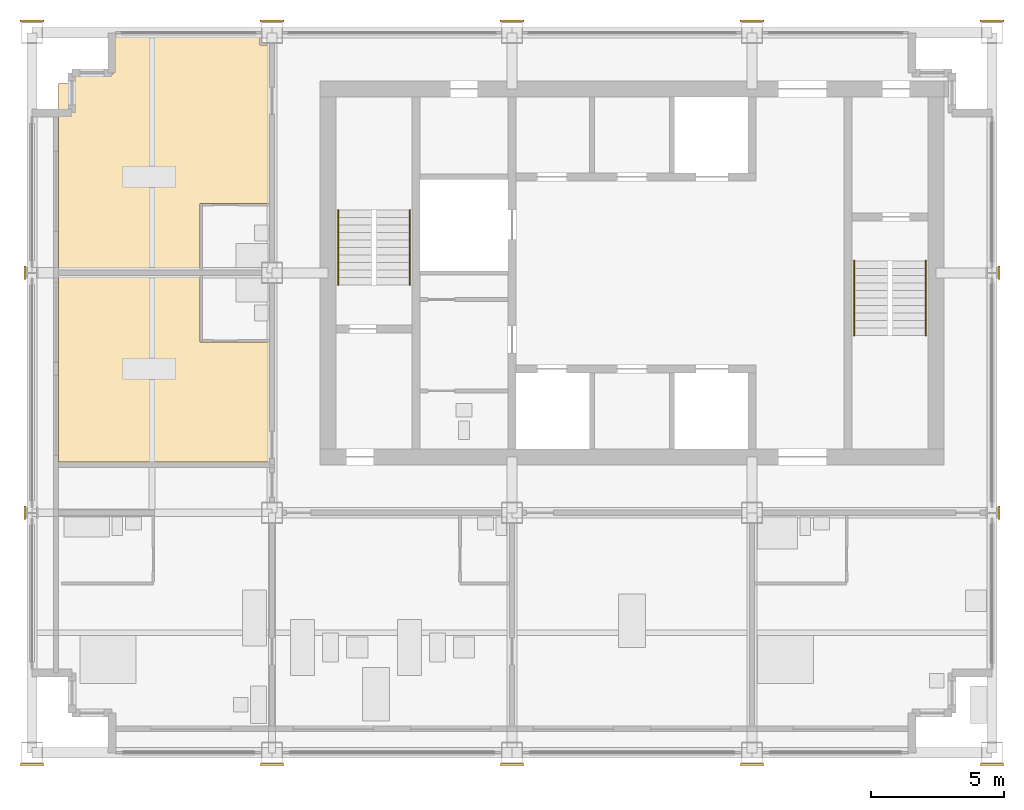
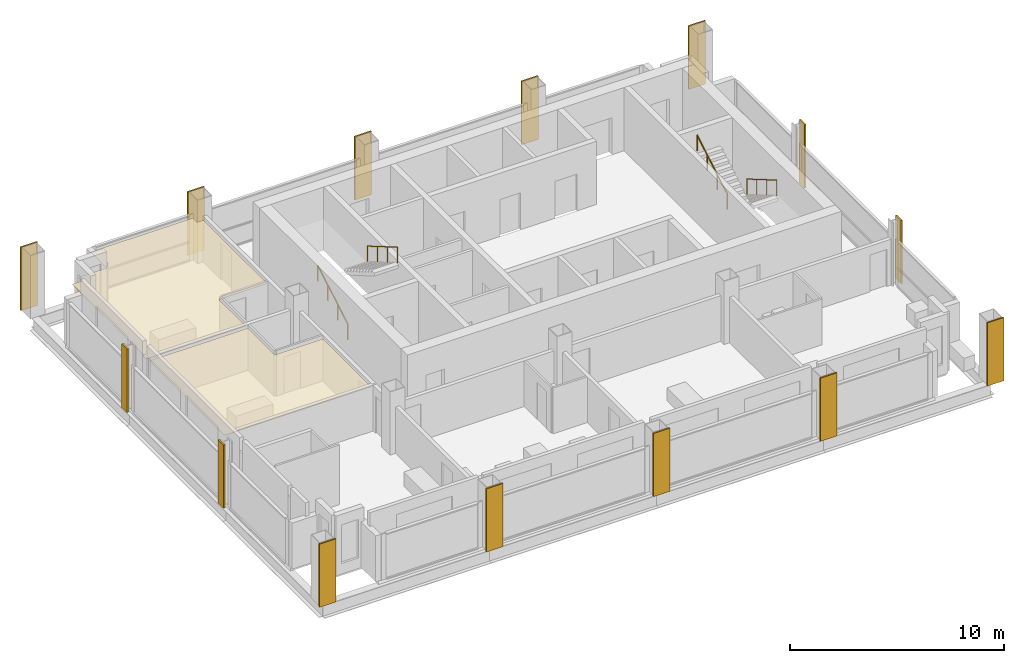
# One storey, part 9 of 11: 16 coverings, 4 railings.
"""IFC4 building model written with IfcOpenShell, lengths in metres."""

from ifc_helpers import new_model, si_unit, direction, frame, origin, origin_2d, place, context, subcontext, project, spatial, polyline, rectangle, circle, outline, extrude, material, layer, layer_set, type_object, element, save


model = new_model("IFC4")

# Units and contexts
model_context = context("Model", 3, precision=1e-05, world=origin(), true_north=direction((0.0, 1.0)))
body_context = subcontext(model_context, "Body", "Model", "MODEL_VIEW")
ifc_project = project(units=[si_unit("LENGTHUNIT", "METRE"), si_unit("AREAUNIT", "SQUARE_METRE"), si_unit("VOLUMEUNIT", "CUBIC_METRE"), si_unit("PLANEANGLEUNIT", "RADIAN"), si_unit("MASSUNIT", "GRAM", prefix="KILO")], contexts=[model_context])

# Site, building, storey
site_placement = place(None, origin())
site = spatial("IfcSite", under=ifc_project, at=site_placement, CompositionType="ELEMENT")
building_placement = place(site_placement, origin())
building = spatial("IfcBuilding", under=site, at=building_placement, Name="Loomwork Tower", CompositionType="ELEMENT")
storey_placement = place(building_placement, frame((0.0, 0.0, 262.60009765625)))
storey = spatial("IfcBuildingStorey", under=building, at=storey_placement, Name="L72", CompositionType="ELEMENT", Elevation=262.60009765625)

# Railings
ifc_material_1 = material(Name="Stainless steel handrail", Category="steel")
railing_type = type_object("IfcRailingType", Name="Handrail 900", PredefinedType="HANDRAIL", material=ifc_material_1)
railing_1_placement = place(storey_placement, frame((11.485107421875, 17.550048828125, 0.16357421875)))
element("IfcRailing", 1, at=railing_1_placement, inside=storey, type_object=railing_type, Name="Stair A handrail flight 1 L72", PredefinedType="HANDRAIL", context=body_context, shape_type="SweptSolid", body=[
    extrude(circle(Radius=0.02392578125, at=origin_2d()), frame((0.0, 0.0, 0.8759765625), z_axis=(0.0, 0.863393664356, 0.504530851732), x_axis=(-1.0, 0.0, 0.0)), (0.0, 0.0, 1.0), 3.2431640625),
    extrude(circle(Radius=0.02099609375, at=origin_2d()), origin(), (0.0, 0.0, 1.0), 0.851806640625),
    extrude(circle(Radius=0.02099609375, at=origin_2d()), frame((0.0, 0.933349609375, 0.54541015625)), (0.0, 0.0, 1.0), 0.851806640625),
    extrude(circle(Radius=0.02099609375, at=origin_2d()), frame((0.0, 1.86669921875, 1.0908203125)), (0.0, 0.0, 1.0), 0.851806640625),
    extrude(circle(Radius=0.02099609375, at=origin_2d()), frame((0.0, 2.800048828125, 1.63623046875)), (0.0, 0.0, 1.0), 0.851806640625),
])
for number, where, name in (
    (2, (14.1650390625, 20.35009765625, 1.963623046875), "Stair A handrail flight 2 L72"),
    (3, (33.514892578125, 18.449951171875, 0.16357421875), "Stair B handrail flight 1 L72"),
):
    element("IfcRailing", number, at=place(storey_placement, frame(where)), inside=storey, type_object=railing_type, Name=name, PredefinedType="HANDRAIL", context=body_context, shape_type="SweptSolid", body=[
        extrude(circle(Radius=0.02392578125, at=origin_2d()), frame((0.0, 0.0, 0.8759765625), z_axis=(0.0, -0.863393664356, 0.504530851732), x_axis=(1.0, 0.0, 0.0)), (0.0, 0.0, 1.0), 3.2431640625),
        extrude(circle(Radius=0.02099609375, at=origin_2d()), origin(), (0.0, 0.0, 1.0), 0.851806640625),
        extrude(circle(Radius=0.02099609375, at=origin_2d()), frame((0.0, -0.933349609375, 0.54541015625)), (0.0, 0.0, 1.0), 0.851806640625),
        extrude(circle(Radius=0.02099609375, at=origin_2d()), frame((0.0, -1.86669921875, 1.0908203125)), (0.0, 0.0, 1.0), 0.851806640625),
        extrude(circle(Radius=0.02099609375, at=origin_2d()), frame((0.0, -2.800048828125, 1.63623046875)), (0.0, 0.0, 1.0), 0.851806640625),
    ])
railing_2_placement = place(storey_placement, frame((30.8349609375, 15.64990234375, 1.963623046875)))
element("IfcRailing", 4, at=railing_2_placement, inside=storey, type_object=railing_type, Name="Stair B handrail flight 2 L72", PredefinedType="HANDRAIL", context=body_context, shape_type="SweptSolid", body=[
    extrude(circle(Radius=0.02392578125, at=origin_2d()), frame((0.0, 0.0, 0.8759765625), z_axis=(0.0, 0.863393664356, 0.504530851732), x_axis=(-1.0, 0.0, 0.0)), (0.0, 0.0, 1.0), 3.2431640625),
    extrude(circle(Radius=0.02099609375, at=origin_2d()), origin(), (0.0, 0.0, 1.0), 0.851806640625),
    extrude(circle(Radius=0.02099609375, at=origin_2d()), frame((0.0, 0.933349609375, 0.54541015625)), (0.0, 0.0, 1.0), 0.851806640625),
    extrude(circle(Radius=0.02099609375, at=origin_2d()), frame((0.0, 1.86669921875, 1.0908203125)), (0.0, 0.0, 1.0), 0.851806640625),
    extrude(circle(Radius=0.02099609375, at=origin_2d()), frame((0.0, 2.800048828125, 1.63623046875)), (0.0, 0.0, 1.0), 0.851806640625),
])

# Coverings
ifc_material_2 = material(Name="Limestone", Category="masonry")
ifc_layer_1 = layer(ifc_material_2, 0.080078125)
ifc_layer_set_1 = layer_set([ifc_layer_1], Name="Limestone pier facing 80")
covering_type_1 = type_object("IfcCoveringType", Name="Limestone pier facing 80", PredefinedType="CLADDING", material=ifc_layer_set_1)
covering_1_placement = place(storey_placement, frame((0.0, -0.43994140625, -0.000244140625), z_axis=(0.0, 0.0, 1.0), x_axis=(1.0, 0.0, 0.0)))
element("IfcCovering", 5, at=covering_1_placement, inside=storey, type_object=covering_type_1, Name="Pier facing D/2 L72", PredefinedType="CLADDING", context=body_context, shape_type="SweptSolid", body=[
    extrude(rectangle(XDim=0.89990234375, YDim=0.080078125, at=origin_2d()), origin(), (0.0, 0.0, 1.0), 3.60009765625),
])
for number, where, z_axis, x_axis, name in (
    (6, (-0.26220703125, 9.0, -0.000244140625), (0.0, 0.0, 1.0), (1.0, 0.0, 0.0), "Pier facing E/2 L72"),
    (7, (-0.26220703125, 18.0, -0.000244140625), (0.0, 0.0, 1.0), (1.0, 0.0, 0.0), "Pier facing F/2 L72"),
):
    element("IfcCovering", number, at=place(storey_placement, frame(where, z_axis=z_axis, x_axis=x_axis)), inside=storey, type_object=covering_type_1, Name=name, PredefinedType="CLADDING", context=body_context, shape_type="SweptSolid", body=[
        extrude(rectangle(XDim=0.080078125, YDim=0.5166015625, at=origin_2d()), origin(), (0.0, 0.0, 1.0), 3.60009765625),
    ])
for number, where, z_axis, x_axis, name in (
    (8, (0.0, 27.43994140625, -0.000244140625), (0.0, 0.0, 1.0), (1.0, 0.0, 0.0), "Pier facing G/2 L72"),
    (9, (9.0, -0.43994140625, -0.000244140625), (0.0, 0.0, 1.0), (1.0, 0.0, 0.0), "Pier facing D/3 L72"),
    (10, (9.0, 27.43994140625, -0.000244140625), (0.0, 0.0, 1.0), (1.0, 0.0, 0.0), "Pier facing G/3 L72"),
    (11, (18.0, -0.43994140625, -0.000244140625), (0.0, 0.0, 1.0), (1.0, 0.0, 0.0), "Pier facing D/4 L72"),
    (12, (18.0, 27.43994140625, -0.000244140625), (0.0, 0.0, 1.0), (1.0, 0.0, 0.0), "Pier facing G/4 L72"),
    (13, (27.0, -0.43994140625, -0.000244140625), (0.0, 0.0, 1.0), (1.0, 0.0, 0.0), "Pier facing D/5 L72"),
    (14, (27.0, 27.43994140625, -0.000244140625), (0.0, 0.0, 1.0), (1.0, 0.0, 0.0), "Pier facing G/5 L72"),
    (15, (36.0, -0.43994140625, -0.000244140625), (0.0, 0.0, 1.0), (1.0, 0.0, 0.0), "Pier facing D/6 L72"),
):
    element("IfcCovering", number, at=place(storey_placement, frame(where, z_axis=z_axis, x_axis=x_axis)), inside=storey, type_object=covering_type_1, Name=name, PredefinedType="CLADDING", context=body_context, shape_type="SweptSolid", body=[
        extrude(rectangle(XDim=0.89990234375, YDim=0.080078125, at=origin_2d()), origin(), (0.0, 0.0, 1.0), 3.60009765625),
    ])
for number, where, z_axis, x_axis, name in (
    (16, (36.26220703125, 9.0, -0.000244140625), (0.0, 0.0, 1.0), (1.0, 0.0, 0.0), "Pier facing E/6 L72"),
    (17, (36.26220703125, 18.0, -0.000244140625), (0.0, 0.0, 1.0), (1.0, 0.0, 0.0), "Pier facing F/6 L72"),
):
    element("IfcCovering", number, at=place(storey_placement, frame(where, z_axis=z_axis, x_axis=x_axis)), inside=storey, type_object=covering_type_1, Name=name, PredefinedType="CLADDING", context=body_context, shape_type="SweptSolid", body=[
        extrude(rectangle(XDim=0.080078125, YDim=0.5166015625, at=origin_2d()), origin(), (0.0, 0.0, 1.0), 3.60009765625),
    ])
covering_2_placement = place(storey_placement, frame((36.0, 27.43994140625, -0.000244140625), z_axis=(0.0, 0.0, 1.0), x_axis=(1.0, 0.0, 0.0)))
element("IfcCovering", 18, at=covering_2_placement, inside=storey, type_object=covering_type_1, Name="Pier facing G/6 L72", PredefinedType="CLADDING", context=body_context, shape_type="SweptSolid", body=[
    extrude(rectangle(XDim=0.89990234375, YDim=0.080078125, at=origin_2d()), origin(), (0.0, 0.0, 1.0), 3.60009765625),
])
ifc_material_3 = material(Name="Mineral fibre acoustic tile on suspension grid")
ifc_layer_2 = layer(ifc_material_3, 0.02490234375)
ifc_layer_set_2 = layer_set([ifc_layer_2], Name="Suspended acoustic ceiling")
covering_type_2 = type_object("IfcCoveringType", Name="Suspended acoustic ceiling", PredefinedType="CEILING", material=ifc_layer_set_2)
covering_3_placement = place(storey_placement, frame((0.0, 0.0, 2.375)))
element("IfcCovering", 19, at=covering_3_placement, inside=storey, type_object=covering_type_2, Name="Ceiling Spa treatment room L72", PredefinedType="CEILING", context=body_context, shape_type="SweptSolid", body=[
    extrude(outline(polyline([(1.0, 10.89990234375), (1.0, 17.89990234375), (6.300048828125, 17.89990234375), (6.300048828125, 15.39990234375), (8.89990234375, 15.39990234375), (8.89990234375, 10.89990234375), (1.0, 10.89990234375)])), origin(), (0.0, 0.0, 1.0), 0.02490234375),
])
covering_4_placement = place(storey_placement, frame((0.0, 0.0, 2.375)))
element("IfcCovering", 20, at=covering_4_placement, inside=storey, type_object=covering_type_2, Name="Ceiling Spa treatment room L72", PredefinedType="CEILING", context=body_context, shape_type="SweptSolid", body=[
    extrude(outline(polyline([(1.550048828125, 25.10009765625), (1.550048828125, 25.449951171875), (3.0, 25.449951171875), (3.0048828125, 25.4501953125), (3.009765625, 25.450927734375), (3.014404296875, 25.4521484375), (3.01904296875, 25.453857421875), (3.023681640625, 25.455810546875), (3.02783203125, 25.45849609375), (3.03173828125, 25.461181640625), (3.035400390625, 25.464599609375), (3.038818359375, 25.46826171875), (3.04150390625, 25.47216796875), (3.044189453125, 25.476318359375), (3.046142578125, 25.48095703125), (3.0478515625, 25.485595703125), (3.049072265625, 25.490234375), (3.0498046875, 25.4951171875), (3.050048828125, 25.5), (3.050048828125, 26.949951171875), (8.550048828125, 26.949951171875), (8.550048828125, 26.550048828125), (8.89990234375, 26.550048828125), (8.89990234375, 20.60009765625), (6.300048828125, 20.60009765625), (6.300048828125, 18.10009765625), (1.0, 18.10009765625), (1.0, 25.10009765625), (1.550048828125, 25.10009765625)])), origin(), (0.0, 0.0, 1.0), 0.02490234375),
])

save(model, "model.ifc")
